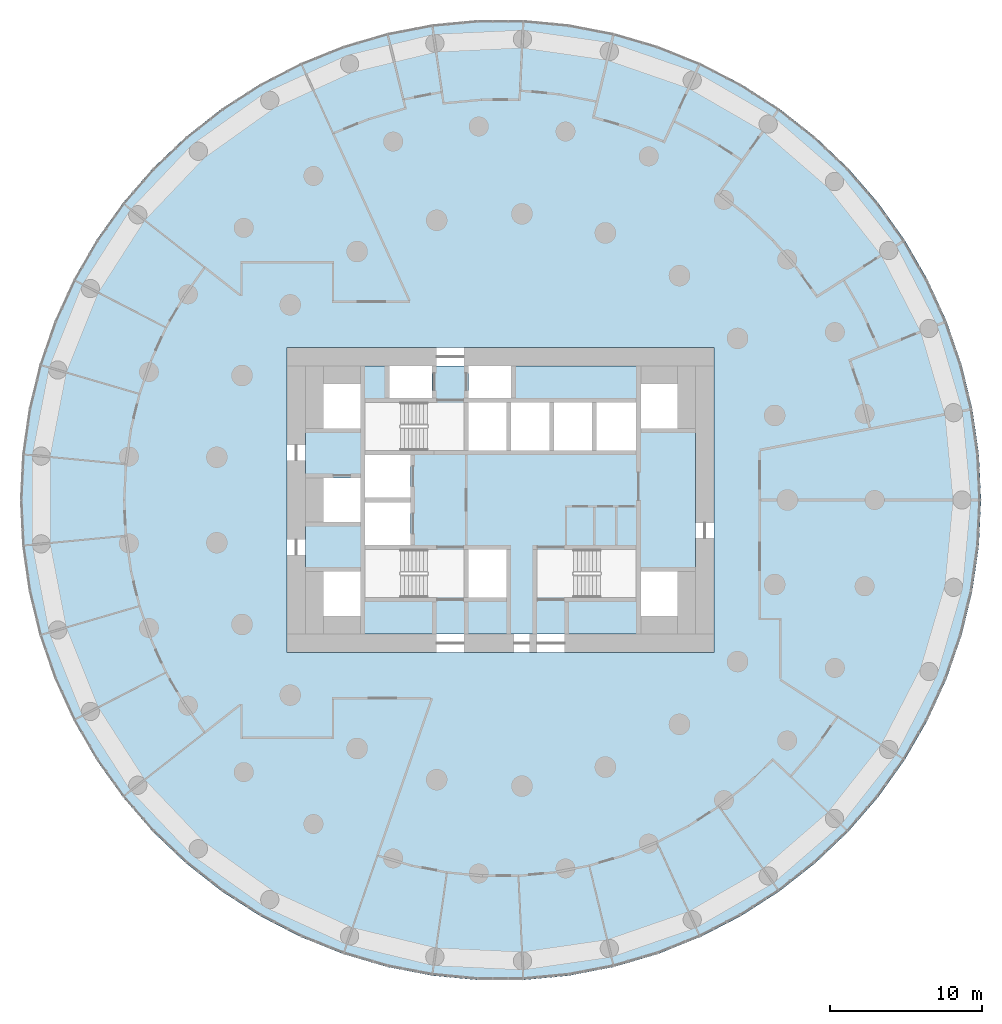
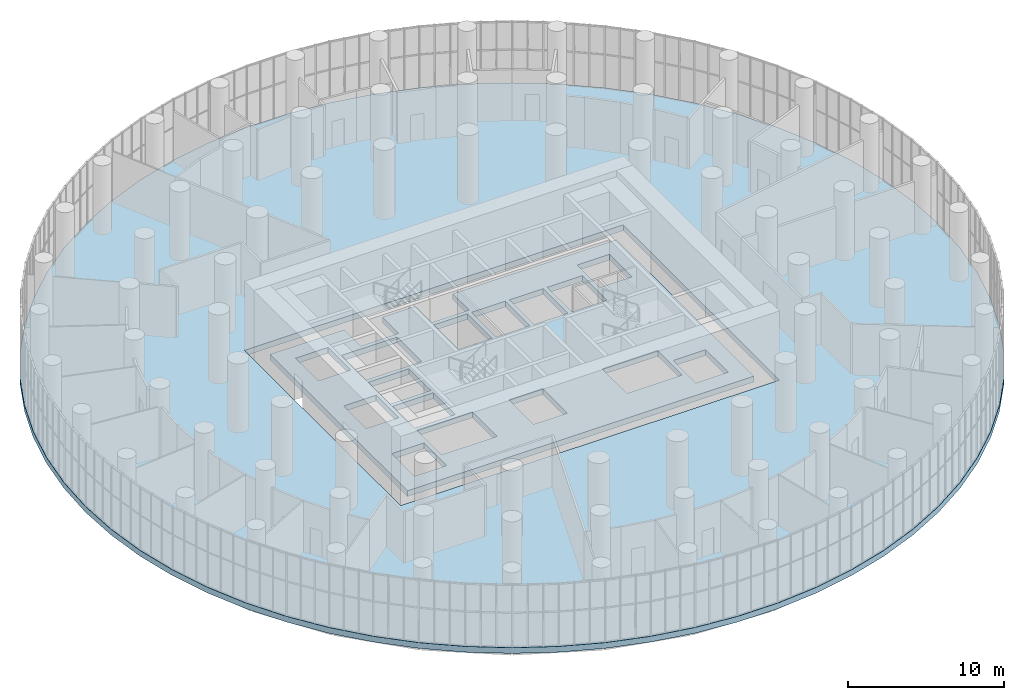
# One storey, part 14 of 27: 2 slabs.
"""IFC4 building model written with IfcOpenShell, lengths in metres."""

import ifcopenshell
import ifcopenshell.guid

model = None  # the IFC model being written
_history = None  # IfcOwnerHistory: only IFC2X3 demands one
_inside = {}  # id of a spatial element -> (the spatial element, [elements in it])
_under = {}  # id of a project, library or spatial element -> (it, [spatial elements below it])
_declared = {}  # id of a project -> (the project, [libraries it declares])
_typed = {}  # id of a type object -> (the type object, [elements of that type])
_made_of = {}  # id of a material, layer set ... -> (it, [elements and type objects made of it])


def new_model(schema):
    """Start an empty IFC model of exactly this schema.

    Asked for "IFC4X3", IfcOpenShell would pick the latest addendum, in which some entities
    have other attributes; the version numbers below select the first issue.
    IFC2X3 requires an IfcOwnerHistory on every rooted entity: one is made here for all.
    """
    global model, _history
    if schema == "IFC4X3":
        model = ifcopenshell.file(schema_version=(4, 3, 0, 0))
    else:
        model = ifcopenshell.file(schema=schema)
    _inside.clear()
    _under.clear()
    _declared.clear()
    _typed.clear()
    _made_of.clear()
    _history = None
    if model.schema == "IFC2X3":
        org = make("IfcOrganization", Name="unknown")
        user = make(
            "IfcPersonAndOrganization",
            ThePerson=make("IfcPerson", FamilyName="unknown"),
            TheOrganization=org,
        )
        app = make(
            "IfcApplication",
            ApplicationDeveloper=org,
            Version="unknown",
            ApplicationFullName="unknown",
            ApplicationIdentifier="unknown",
        )
        _history = make(
            "IfcOwnerHistory",
            OwningUser=user,
            OwningApplication=app,
            ChangeAction="ADDED",
            CreationDate=0,
        )
    return model


def make(cls, **values):
    """One entity of the class cls with the attributes given. An attribute that is None is left unset."""
    return model.create_entity(
        cls, **{name: value for name, value in values.items() if value is not None}
    )


def rooted(cls, **values):
    """An entity with a GlobalId (a new one), such as an element, a storey or a relation."""
    return make(cls, GlobalId=ifcopenshell.guid.new(), OwnerHistory=_history, **values)


def si_unit(unit_type, name, prefix=None):
    """IfcSIUnit, for example si_unit("LENGTHUNIT", "METRE", prefix="MILLI")."""
    return make("IfcSIUnit", UnitType=unit_type, Prefix=prefix, Name=name)


def assignment(units):
    """IfcUnitAssignment: the units of a project."""
    return None if units is None else make("IfcUnitAssignment", Units=units)


def point(xyz):
    """IfcCartesianPoint."""
    return None if xyz is None else make("IfcCartesianPoint", Coordinates=xyz)


def direction(xyz):
    """IfcDirection."""
    return None if xyz is None else make("IfcDirection", DirectionRatios=xyz)


def frame(location, z_axis=None, x_axis=None):
    """IfcAxis2Placement3D, a coordinate frame: its origin and axes. An axis left out is left unset."""
    return make(
        "IfcAxis2Placement3D",
        Location=point(location),
        Axis=direction(z_axis),
        RefDirection=direction(x_axis),
    )


def origin():
    """The frame at (0, 0, 0) with its axes left unset."""
    return frame((0.0, 0.0, 0.0))


def place(relative_to, where):
    """IfcLocalPlacement: puts the frame where relative to a parent placement (None: the world)."""
    return make(
        "IfcLocalPlacement", PlacementRelTo=relative_to, RelativePlacement=where
    )


def context(
    kind, dimensions, precision=None, world=None, true_north=None, identifier=None
):
    """IfcGeometricRepresentationContext, for example the 3D "Model" context."""
    return make(
        "IfcGeometricRepresentationContext",
        ContextIdentifier=identifier,
        ContextType=kind,
        CoordinateSpaceDimension=dimensions,
        Precision=precision,
        WorldCoordinateSystem=world,
        TrueNorth=true_north,
    )


def subcontext(parent, identifier, kind, view, scale=None):
    """IfcGeometricRepresentationSubContext, for example "Body" below "Model"."""
    return make(
        "IfcGeometricRepresentationSubContext",
        ContextIdentifier=identifier,
        ContextType=kind,
        ParentContext=parent,
        TargetScale=scale,
        TargetView=view,
    )


def project(units=None, contexts=None):
    """IfcProject with its units and contexts."""
    return rooted(
        "IfcProject",
        Name="project",
        RepresentationContexts=contexts,
        UnitsInContext=assignment(units),
    )


def spatial(cls, under=None, at=None, **own):
    """A site, building, storey or space (cls), placed at a placement, below another one or the project."""
    s = rooted(cls, ObjectPlacement=at, **own)
    if under is not None:
        _under.setdefault(under.id(), (under, []))[1].append(s)
    return s


def polyline(points):
    """IfcPolyline through the points."""
    return make("IfcPolyline", Points=[point(p) for p in points])


def outline(outer, holes=None, kind="AREA"):
    """IfcArbitraryClosedProfileDef: a profile drawn as a closed curve; with holes, ...WithVoids."""
    if holes is None:
        return make("IfcArbitraryClosedProfileDef", ProfileType=kind, OuterCurve=outer)
    return make(
        "IfcArbitraryProfileDefWithVoids",
        ProfileType=kind,
        OuterCurve=outer,
        InnerCurves=holes,
    )


def extrude(swept, where, along, depth):
    """IfcExtrudedAreaSolid: the profile swept, set in the frame where, extruded along a direction by depth."""
    return make(
        "IfcExtrudedAreaSolid",
        SweptArea=swept,
        Position=where,
        ExtrudedDirection=direction(along),
        Depth=depth,
    )


def shape(context_of_items, identifier, shape_type, items):
    """IfcShapeRepresentation: the items that make up one representation, for example the "Body"."""
    return make(
        "IfcShapeRepresentation",
        ContextOfItems=context_of_items,
        RepresentationIdentifier=identifier,
        RepresentationType=shape_type,
        Items=items,
    )


def material(Name=None, Category=None):
    """IfcMaterial."""
    return make("IfcMaterial", Name=Name, Category=Category)


def layer(
    of_material, thickness, ventilated=None, Name=None, Category=None, Priority=None
):
    """IfcMaterialLayer: one layer of a wall or slab, of a material (None: an air gap)."""
    return make(
        "IfcMaterialLayer",
        Material=of_material,
        LayerThickness=thickness,
        IsVentilated=ventilated,
        Name=Name,
        Category=Category,
        Priority=Priority,
    )


def layer_set(layers, Name=None):
    """IfcMaterialLayerSet."""
    return make("IfcMaterialLayerSet", MaterialLayers=layers, LayerSetName=Name)


def made_of(thing, what):
    """Note that an element or type object is made of a material, layer set ...; save() writes the relation."""
    if what is not None:
        _made_of.setdefault(what.id(), (what, []))[1].append(thing)
    return thing


def type_object(cls, material=None, **own):
    """A type object (cls), such as IfcWallType, which elements share."""
    return made_of(rooted(cls, **own), material)


def element(
    cls,
    number,
    at=None,
    inside=None,
    cuts=None,
    type_object=None,
    material=None,
    context=None,
    identifier="Body",
    shape_type=None,
    held_by="IfcProductDefinitionShape",
    body=None,
    shapes=None,
    **own,
):
    """One element of the class cls, such as IfcWall. Its Tag is "e" and its number.

    at: its placement. inside: the storey or other place that contains it. cuts: it is an
    opening in that element (IfcRelVoidsElement). A single representation is given by context,
    identifier, shape_type and body (its items); several are given by shapes. held_by: the class
    of the entity that holds the representations. save() writes the other relations.
    """
    e = rooted(cls, Tag="e%d" % number, ObjectPlacement=at, **own)
    if body is not None:
        shapes = [shape(context, identifier, shape_type, body)]
    if shapes is not None:
        e.Representation = make(held_by, Representations=shapes)
    if inside is not None:
        _inside.setdefault(inside.id(), (inside, []))[1].append(e)
    if cuts is not None:
        rooted(
            "IfcRelVoidsElement", RelatingBuildingElement=cuts, RelatedOpeningElement=e
        )
    if type_object is not None:
        _typed.setdefault(type_object.id(), (type_object, []))[1].append(e)
    return made_of(e, material)


def aggregate(whole, parts):
    """IfcRelAggregates: a whole, such as a stair, and the parts it consists of."""
    return rooted("IfcRelAggregates", RelatingObject=whole, RelatedObjects=parts)


def save(model, path):
    """Write the relations noted so far, then the file.

    IfcRelAggregates (storeys below a building ...), IfcRelContainedInSpatialStructure (elements
    in a storey), IfcRelDefinesByType, IfcRelAssociatesMaterial and IfcRelDeclares: one each for
    every whole, place, type object, material and project.
    """
    for whole, parts in _under.values():
        aggregate(whole, parts)
    for where, things in _inside.values():
        rooted(
            "IfcRelContainedInSpatialStructure",
            RelatedElements=things,
            RelatingStructure=where,
        )
    for kind, things in _typed.values():
        rooted("IfcRelDefinesByType", RelatedObjects=things, RelatingType=kind)
    for what, things in _made_of.values():
        rooted("IfcRelAssociatesMaterial", RelatedObjects=things, RelatingMaterial=what)
    for by, libraries in _declared.values():
        rooted("IfcRelDeclares", RelatingContext=by, RelatedDefinitions=libraries)
    model.write(path)


model = new_model("IFC4")

# Units and contexts
model_context = context("Model", 3, precision=1e-05, world=origin(), true_north=direction((0.0, 1.0)))
body_context = subcontext(model_context, "Body", "Model", "MODEL_VIEW")
ifc_project = project(units=[si_unit("LENGTHUNIT", "METRE"), si_unit("AREAUNIT", "SQUARE_METRE"), si_unit("VOLUMEUNIT", "CUBIC_METRE"), si_unit("PLANEANGLEUNIT", "RADIAN"), si_unit("MASSUNIT", "GRAM", prefix="KILO")], contexts=[model_context])

# Site, building, storey
site_placement = place(None, origin())
site = spatial("IfcSite", under=ifc_project, at=site_placement, CompositionType="ELEMENT")
building_placement = place(site_placement, origin())
building = spatial("IfcBuilding", under=site, at=building_placement, Name="Tracery Tower", CompositionType="ELEMENT")
storey_placement = place(building_placement, frame((0.0, 0.0, 114.60009765625)))
storey = spatial("IfcBuildingStorey", under=building, at=storey_placement, Name="L29", CompositionType="ELEMENT", Elevation=114.60009765625)

# Slabs
ifc_material_1 = material(Name="Concrete C60/75", Category="concrete")
ifc_layer_1 = layer(ifc_material_1, 0.449951171875)
ifc_layer_set_1 = layer_set([ifc_layer_1], Name="Core floor slab 450 C60")
slab_type_1 = type_object("IfcSlabType", Name="Core floor slab 450 C60", PredefinedType="FLOOR", material=ifc_layer_set_1)
slab_1_placement = place(storey_placement, frame((0.0, 0.0, -0.4501953125)))
element("IfcSlab", 1, at=slab_1_placement, inside=storey, type_object=slab_type_1, Name="L29 core floor 1", PredefinedType="FLOOR", context=body_context, shape_type="SweptSolid", body=[
    extrude(outline(polyline([(-12.800048828125, 8.800048828125), (-7.300048828125, 8.800048828125), (-7.300048828125, 6.699951171875), (-4.5, 6.699951171875), (-4.5, 8.800048828125), (-2.10009765625, 8.800048828125), (-2.10009765625, 6.699951171875), (0.699951171875, 6.699951171875), (0.699951171875, 8.800048828125), (12.800048828125, 8.800048828125), (12.800048828125, -8.800048828125), (-12.800048828125, -8.800048828125), (-12.800048828125, 8.800048828125)]), holes=[polyline([(11.60009765625, -7.60009765625), (11.60009765625, -4.699951171875), (9.199951171875, -4.699951171875), (9.199951171875, -7.60009765625), (11.60009765625, -7.60009765625)]), polyline([(11.60009765625, 4.699951171875), (11.60009765625, 7.60009765625), (9.199951171875, 7.60009765625), (9.199951171875, 4.699951171875), (11.60009765625, 4.699951171875)]), polyline([(4.800537109375, -3.25), (4.800537109375, -6.39990234375), (8.89990234375, -6.39990234375), (8.89990234375, -3.25), (4.800537109375, -3.25)]), polyline([(6.300048828125, 3.25), (8.89990234375, 3.25), (8.89990234375, 6.39990234375), (6.300048828125, 6.39990234375), (6.300048828125, 3.25)]), polyline([(3.5, 3.25), (6.0, 3.25), (6.0, 6.39990234375), (3.5, 6.39990234375), (3.5, 3.25)]), polyline([(3.199951171875, 3.25), (3.199951171875, 6.39990234375), (0.699951171875, 6.39990234375), (0.699951171875, 3.25), (3.199951171875, 3.25)]), polyline([(-2.10009765625, 3.25), (0.39990234375, 3.25), (0.39990234375, 6.39990234375), (-2.10009765625, 6.39990234375), (-2.10009765625, 3.25)]), polyline([(0.39990234375, -6.39990234375), (0.39990234375, -3.25), (-2.10009765625, -3.25), (-2.10009765625, -6.39990234375), (0.39990234375, -6.39990234375)]), polyline([(-4.800537109375, -3.25), (-8.89990234375, -3.25), (-8.89990234375, -6.39990234375), (-4.800537109375, -6.39990234375), (-4.800537109375, -3.25)]), polyline([(-4.800537109375, 6.39990234375), (-8.89990234375, 6.39990234375), (-8.89990234375, 3.25), (-4.800537109375, 3.25), (-4.800537109375, 6.39990234375)]), polyline([(-8.89990234375, -2.949951171875), (-5.89990234375, -2.949951171875), (-5.89990234375, -0.14990234375), (-8.89990234375, -0.14990234375), (-8.89990234375, -2.949951171875)]), polyline([(-5.89990234375, 0.14990234375), (-5.89990234375, 2.949951171875), (-8.89990234375, 2.949951171875), (-8.89990234375, 0.14990234375), (-5.89990234375, 0.14990234375)]), polyline([(-11.60009765625, 4.699951171875), (-9.199951171875, 4.699951171875), (-9.199951171875, 7.60009765625), (-11.60009765625, 7.60009765625), (-11.60009765625, 4.699951171875)]), polyline([(-9.199951171875, -7.60009765625), (-9.199951171875, -4.699951171875), (-11.60009765625, -4.699951171875), (-11.60009765625, -7.60009765625), (-9.199951171875, -7.60009765625)]), polyline([(-9.199951171875, -1.449951171875), (-9.199951171875, 1.449951171875), (-11.60009765625, 1.449951171875), (-11.60009765625, -1.449951171875), (-9.199951171875, -1.449951171875)])]), origin(), (0.0, 0.0, 1.0), 0.4501953125),
])
ifc_material_2 = material(Name="Concrete C50/60", Category="concrete")
ifc_layer_2 = layer(ifc_material_2, 0.449951171875)
ifc_layer_set_2 = layer_set([ifc_layer_2], Name="Floor slab 450")
slab_type_2 = type_object("IfcSlabType", Name="Floor slab 450", PredefinedType="FLOOR", material=ifc_layer_set_2)
slab_2_placement = place(storey_placement, frame((0.0, 0.0, -0.4501953125)))
element("IfcSlab", 2, at=slab_2_placement, inside=storey, type_object=slab_type_2, Name="Floor slab L29", PredefinedType="FLOOR", context=body_context, shape_type="SweptSolid", body=[
    extrude(outline(polyline([(31.524658203125, 0.0), (31.3818359375, 2.99658203125), (30.954833984375, 5.966064453125), (30.24755859375, 8.881591796875), (29.266357421875, 11.716552734375), (28.020263671875, 14.4453125), (26.520263671875, 17.04345703125), (24.780029296875, 19.4873046875), (22.8154296875, 21.75439453125), (20.644287109375, 23.82470703125), (18.2861328125, 25.67919921875), (15.76220703125, 27.301025390625), (13.095703125, 28.67578125), (10.310791015625, 29.790771484375), (7.43212890625, 30.635986328125), (4.486328125, 31.20361328125), (1.5, 31.489013671875), (-1.5, 31.489013671875), (-4.486328125, 31.20361328125), (-7.43212890625, 30.635986328125), (-10.310791015625, 29.790771484375), (-13.095703125, 28.67578125), (-15.76220703125, 27.301025390625), (-18.2861328125, 25.67919921875), (-20.644287109375, 23.82470703125), (-22.8154296875, 21.75439453125), (-24.780029296875, 19.4873046875), (-26.520263671875, 17.04345703125), (-28.020263671875, 14.4453125), (-29.266357421875, 11.716552734375), (-30.24755859375, 8.881591796875), (-30.954833984375, 5.966064453125), (-31.3818359375, 2.99658203125), (-31.524658203125, 0.0), (-31.3818359375, -2.99658203125), (-30.954833984375, -5.966064453125), (-30.24755859375, -8.881591796875), (-29.266357421875, -11.716552734375), (-28.020263671875, -14.4453125), (-26.520263671875, -17.04345703125), (-24.780029296875, -19.4873046875), (-22.8154296875, -21.75439453125), (-20.644287109375, -23.82470703125), (-18.2861328125, -25.67919921875), (-15.76220703125, -27.301025390625), (-13.095703125, -28.67578125), (-10.310791015625, -29.790771484375), (-7.43212890625, -30.635986328125), (-4.486328125, -31.20361328125), (-1.5, -31.489013671875), (1.5, -31.489013671875), (4.486328125, -31.20361328125), (7.43212890625, -30.635986328125), (10.310791015625, -29.790771484375), (13.095703125, -28.67578125), (15.76220703125, -27.301025390625), (18.2861328125, -25.67919921875), (20.644287109375, -23.82470703125), (22.8154296875, -21.75439453125), (24.780029296875, -19.4873046875), (26.520263671875, -17.04345703125), (28.020263671875, -14.4453125), (29.266357421875, -11.716552734375), (30.24755859375, -8.881591796875), (30.954833984375, -5.966064453125), (31.3818359375, -2.99658203125), (31.524658203125, 0.0)]), holes=[polyline([(-14.0, -10.0), (14.0, -10.0), (14.0, 10.0), (-14.0, 10.0), (-14.0, -10.0)])]), origin(), (0.0, 0.0, 1.0), 0.4501953125),
])

save(model, "model.ifc")
